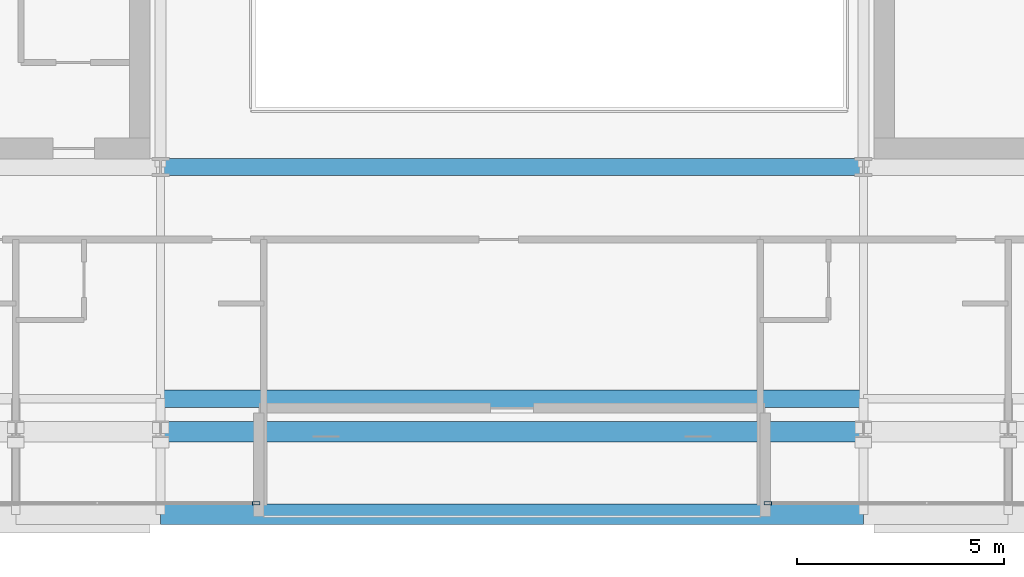
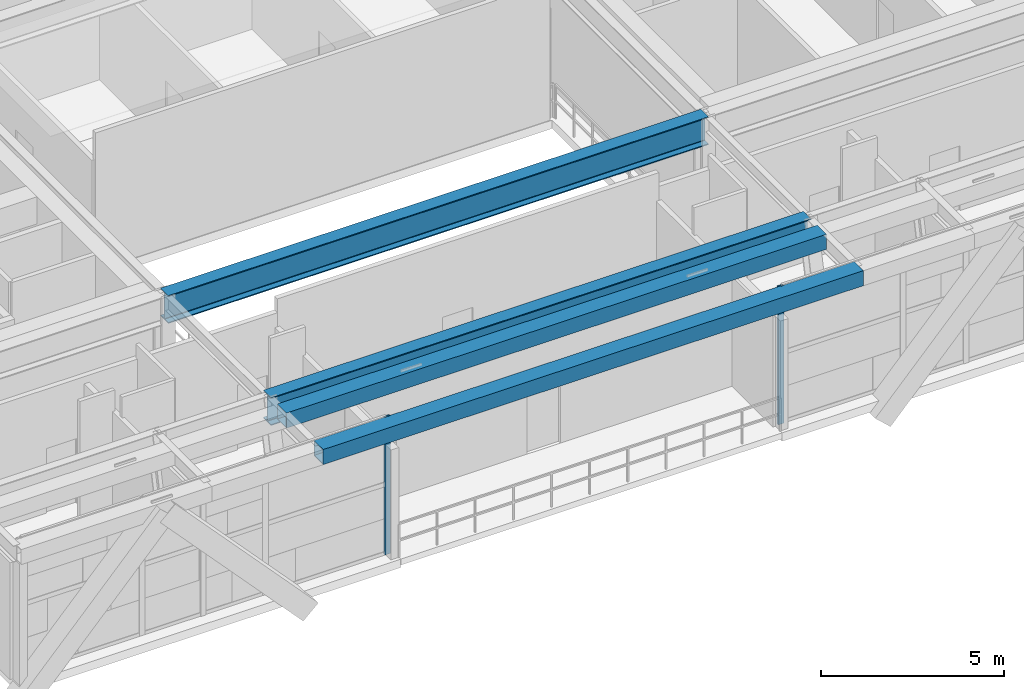
# One storey, part 5 of 31: 4 beams, 2 members, 2 elements without a shape of their own.
"""IFC4 building model written with IfcOpenShell, lengths in metres."""

from ifc_helpers import new_model, si_unit, direction, frame, origin, origin_2d, place, context, subcontext, project, spatial, hollow_rectangle, i_section, extrude, source, transform, mapped, material, layer, layer_set, material_profile, profile_set, type_object, element, aggregate, save


model = new_model("IFC4")

# Units and contexts
model_context = context("Model", 3, precision=1e-05, world=origin(), true_north=direction((0.0, 1.0)))
body_context = subcontext(model_context, "Body", "Model", "MODEL_VIEW")
ifc_project = project(units=[si_unit("LENGTHUNIT", "METRE"), si_unit("AREAUNIT", "SQUARE_METRE"), si_unit("VOLUMEUNIT", "CUBIC_METRE"), si_unit("PLANEANGLEUNIT", "RADIAN"), si_unit("MASSUNIT", "GRAM", prefix="KILO")], contexts=[model_context])

# Site, building, storey
site_placement = place(None, origin())
site = spatial("IfcSite", under=ifc_project, at=site_placement, CompositionType="ELEMENT")
building_placement = place(site_placement, origin())
building = spatial("IfcBuilding", under=site, at=building_placement, Name="Ocotamira Hotel", CompositionType="ELEMENT")
storey_placement = place(building_placement, frame((0.0, 0.0, 228.0)))
storey = spatial("IfcBuildingStorey", under=building, at=storey_placement, Name="L57", CompositionType="ELEMENT", Elevation=228.0)

# Beams
ifc_material_1 = material(Name="Steel ASTM A992 Grade 50", Category="steel")
ifc_material_profile_1 = material_profile(ifc_material_1, i_section(OverallWidth=0.41796875, OverallDepth=0.927001953125, WebThickness=0.019287109375, FlangeThickness=0.031982421875, FilletRadius=0.02392578125, at=origin_2d()), Name="W36X231")
ifc_profile_set_1 = profile_set([ifc_material_profile_1], Name="Steel ASTM A992 Grade 50")
beam_type_1 = type_object("IfcBeamType", Name="BM-GIRD-W36X231", PredefinedType="BEAM", material=ifc_profile_set_1)
shared_shape_1 = source(origin(), body_context, "Body", "SweptSolid", [
    extrude(i_section(OverallWidth=0.41796875, OverallDepth=0.927001953125, WebThickness=0.019287109375, FlangeThickness=0.031982421875, FilletRadius=0.02392578125, at=origin_2d()), origin(), (0.0, 0.0, 1.0), 17.0),
])
for number, where, z_axis, x_axis, name in (
    (1, (23.5, 8.949951171875, 4.116455078125), (1.0, 0.0, 0.0), (0.0, 1.0, 0.0), "L57 Girder Y8.95 X23.5-40.5"),
    (2, (23.5, 14.550048828125, 4.116455078125), (1.0, 0.0, 0.0), (0.0, 1.0, 0.0), "L57 Girder Y14.55 X23.5-40.5"),
):
    element("IfcBeam", number, at=place(storey_placement, frame(where, z_axis=z_axis, x_axis=x_axis)), inside=storey, type_object=beam_type_1, Name=name, PredefinedType="BEAM", context=body_context, shape_type="MappedRepresentation", body=[
        mapped(shared_shape_1, transform((0.0, 0.0, 0.0), scale=1.0)),
    ])
ifc_material_2 = material(Name="Steel ASTM A500 Grade C", Category="steel")
ifc_material_profile_2 = material_profile(ifc_material_2, hollow_rectangle(XDim=0.5, YDim=0.5, WallThickness=0.02001953125, at=origin_2d()), Name="HSS500X500X20")
ifc_profile_set_2 = profile_set([ifc_material_profile_2], Name="Steel ASTM A500 Grade C")
beam_type_2 = type_object("IfcBeamType", Name="BM-SPAN-HSS500", PredefinedType="USERDEFINED", material=ifc_profile_set_2)
shared_shape_2 = source(origin(), body_context, "Body", "SweptSolid", [
    extrude(hollow_rectangle(XDim=0.5, YDim=0.5, WallThickness=0.02001953125, at=origin_2d()), origin(), (0.0, 0.0, 1.0), 17.0),
])
for number, where, z_axis, x_axis, name in (
    (3, (23.5, 8.14990234375, 4.330078125), (1.0, 0.0, 0.0), (0.0, 1.0, 0.0), "L57 Inner Setback Spandrel S X23.5"),
    (4, (23.5, 6.14990234375, 4.330078125), (1.0, 0.0, 0.0), (0.0, 1.0, 0.0), "L57 Edge Spandrel S X23.5-40.5"),
):
    element("IfcBeam", number, at=place(storey_placement, frame(where, z_axis=z_axis, x_axis=x_axis)), inside=storey, type_object=beam_type_2, Name=name, ObjectType="SPANDREL", PredefinedType="USERDEFINED", context=body_context, shape_type="MappedRepresentation", body=[
        mapped(shared_shape_2, transform((0.0, 0.0, 0.0), scale=1.0)),
    ])

# Curtain wall, member
ifc_material_3 = material(Name="Anodised pale-metal aluminium and solar glass", Category="aluminium")
ifc_layer = layer(ifc_material_3, 0.239990234375)
ifc_layer_set = layer_set([ifc_layer], Name="Anodised pale-metal aluminium and solar glass")
curtain_wall_type = type_object("IfcCurtainWallType", Name="CW-SYS5-SKY", PredefinedType="NOTDEFINED", material=ifc_layer_set)
curtain_wall_1_placement = place(storey_placement, origin())
curtain_wall_1 = element("IfcCurtainWall", 5, at=curtain_wall_1_placement, inside=storey, type_object=curtain_wall_type, Name="L57 Curtain Wall CW-5 CW-L57-S1", PredefinedType="NOTDEFINED")
ifc_material_4 = material(Name="Anodised pale-metal aluminium 6063-T6", Category="aluminium")
ifc_material_profile_3 = material_profile(ifc_material_4, hollow_rectangle(XDim=0.080078125, YDim=0.179931640625, WallThickness=0.006103515625, at=origin_2d()), Name="HSS180X80X6")
ifc_profile_set_3 = profile_set([ifc_material_profile_3], Name="Anodised pale-metal aluminium 6063-T6")
member_type = type_object("IfcMemberType", Name="CWM-180X75", PredefinedType="MULLION", material=ifc_profile_set_3)
shared_shape_3 = source(origin(), body_context, "Body", "SweptSolid", [
    extrude(hollow_rectangle(XDim=0.080078125, YDim=0.179931640625, WallThickness=0.006103515625, at=origin_2d()), origin(), (0.0, 0.0, 1.0), 4.580078125),
])
member_1_placement = place(storey_placement, frame((25.81005859375, 6.419921875, 0.0), z_axis=(0.0, 0.0, 1.0), x_axis=(0.0, 1.0, 0.0)))
member_1 = element("IfcMember", 6, at=member_1_placement, type_object=member_type, Name="CW-5 mullion 4", PredefinedType="MULLION", context=body_context, shape_type="MappedRepresentation", body=[
    mapped(shared_shape_3, transform((0.0, 0.0, 0.0), scale=1.0)),
])
aggregate(curtain_wall_1, [member_1])

curtain_wall_2_placement = place(storey_placement, origin())
curtain_wall_2 = element("IfcCurtainWall", 7, at=curtain_wall_2_placement, inside=storey, type_object=curtain_wall_type, Name="L57 Curtain Wall CW-5 CW-L57-S2", PredefinedType="NOTDEFINED")
member_2_placement = place(storey_placement, frame((38.18994140625, 6.419921875, 0.0), z_axis=(0.0, 0.0, 1.0), x_axis=(0.0, 1.0, 0.0)))
member_2 = element("IfcMember", 8, at=member_2_placement, type_object=member_type, Name="CW-5 mullion 1", PredefinedType="MULLION", context=body_context, shape_type="MappedRepresentation", body=[
    mapped(shared_shape_3, transform((0.0, 0.0, 0.0), scale=1.0)),
])
aggregate(curtain_wall_2, [member_2])

save(model, "model.ifc")
